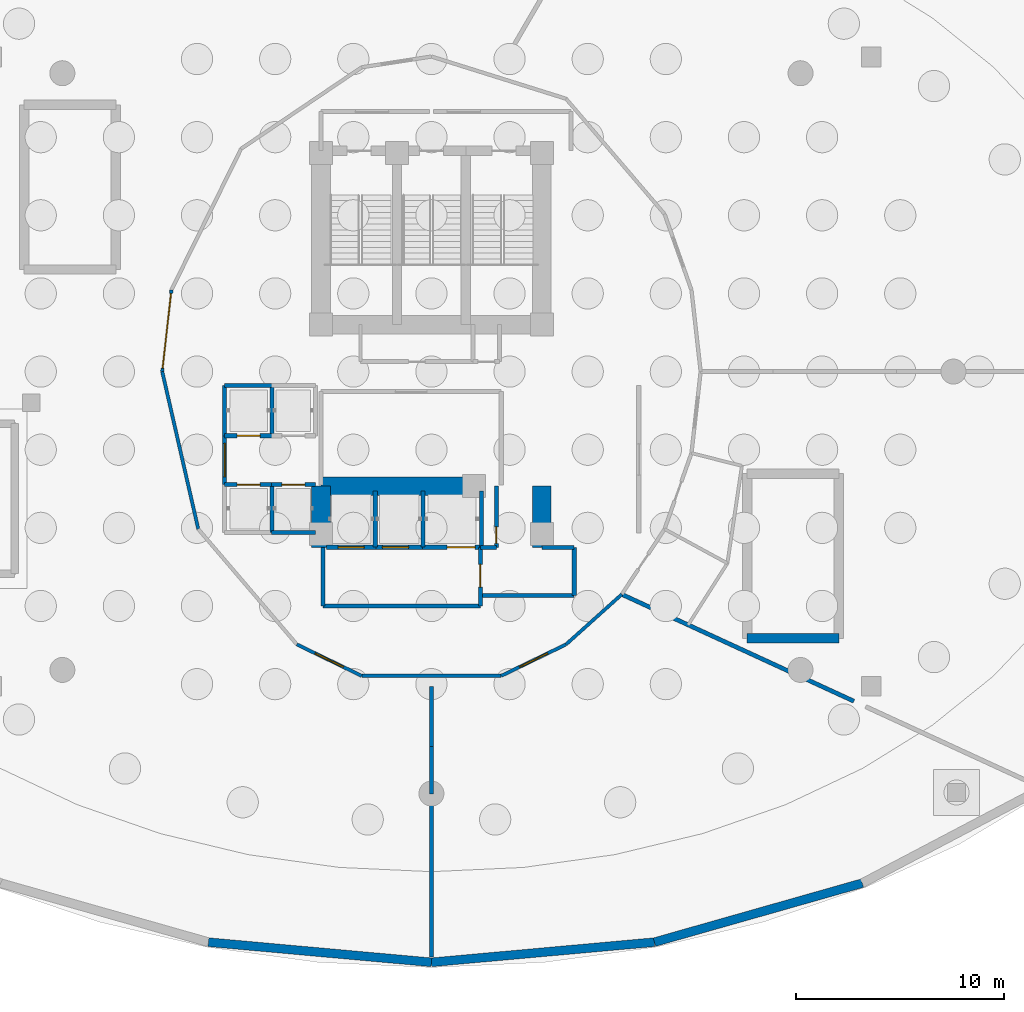
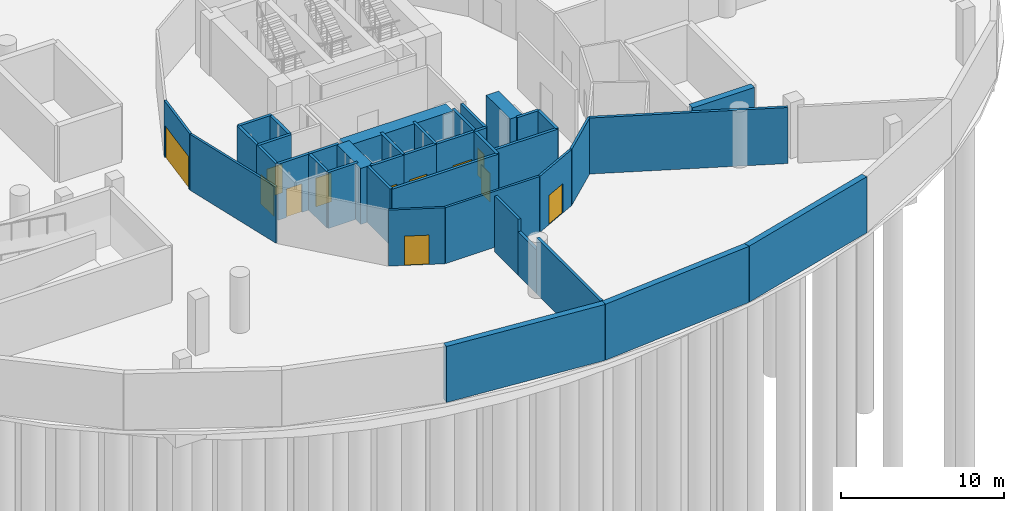
# One storey, part 3 of 9: 40 walls, 12 doors, 12 openings.
"""IFC4 building model written with IfcOpenShell, lengths in metres."""

from ifc_helpers import new_model, si_unit, direction, frame, frame_2d, origin, place, context, subcontext, project, spatial, rectangle, extrude, material, layer, layer_set, type_object, element, fill, save


model = new_model("IFC4")

# Units and contexts
model_context = context("Model", 3, precision=1e-05, world=origin(), true_north=direction((0.0, 1.0)))
body_context = subcontext(model_context, "Body", "Model", "MODEL_VIEW")
ifc_project = project(units=[si_unit("LENGTHUNIT", "METRE"), si_unit("AREAUNIT", "SQUARE_METRE"), si_unit("VOLUMEUNIT", "CUBIC_METRE"), si_unit("PLANEANGLEUNIT", "RADIAN"), si_unit("MASSUNIT", "GRAM", prefix="KILO")], contexts=[model_context])

# Site, building, storey
site_placement = place(None, origin())
site = spatial("IfcSite", under=ifc_project, at=site_placement, CompositionType="ELEMENT")
building_placement = place(site_placement, origin())
building = spatial("IfcBuilding", under=site, at=building_placement, Name="Nuhasar Tower", CompositionType="ELEMENT")
storey_placement = place(building_placement, frame((0.0, 0.0, -9.0)))
storey = spatial("IfcBuildingStorey", under=building, at=storey_placement, Name="B2", CompositionType="ELEMENT", Elevation=-9.0)

# Walls
ifc_material_1 = material(Name="Concrete C50/60", Category="concrete")
ifc_layer_1 = layer(ifc_material_1, 0.449951171875)
ifc_layer_set_1 = layer_set([ifc_layer_1], Name="Concrete C50/60")
wall_type_1 = type_object("IfcWallType", Name="WL-CORE-450", PredefinedType="SHEAR", material=ifc_layer_set_1)
wall_1_placement = place(storey_placement, frame((54.14990234375, 14.0, 0.0), z_axis=(0.0, 0.0, 1.0), x_axis=(1.0, 0.0, 0.0)))
element("IfcWall", 1, at=wall_1_placement, inside=storey, type_object=wall_type_1, Name="B2 Stairwell Shear Wall ST-05-S", PredefinedType="SHEAR", context=body_context, shape_type="SweptSolid", body=[
    extrude(rectangle(XDim=4.400146484375, YDim=0.449951171875, at=frame_2d((2.2001953125, 0.0))), origin(), (0.0, 0.0, 1.0), 4.199951171875),
])
ifc_material_2 = material(Name="Concrete C80/95", Category="concrete")
ifc_layer_2 = layer(ifc_material_2, 0.89990234375)
ifc_layer_set_2 = layer_set([ifc_layer_2], Name="Concrete C80/95")
wall_type_2 = type_object("IfcWallType", Name="WL-CORE-900", PredefinedType="SHEAR", material=ifc_layer_set_2)
for number, where, z_axis, x_axis, name in (
    (2, (33.699951171875, 18.35009765625, 0.0), (0.0, 0.0, 1.0), (0.0, 1.0, 0.0), "B2 Core Shear Wall CW-SW CW-900"),
    (3, (44.300048828125, 18.35009765625, 0.0), (0.0, 0.0, 1.0), (0.0, 1.0, 0.0), "B2 Core Shear Wall CW-SE CW-900"),
):
    element("IfcWall", number, at=place(storey_placement, frame(where, z_axis=z_axis, x_axis=x_axis)), inside=storey, type_object=wall_type_2, Name=name, PredefinedType="SHEAR", context=body_context, shape_type="SweptSolid", body=[
        extrude(rectangle(XDim=2.949951171875, YDim=0.89990234375, at=frame_2d((1.47509765625, 0.0))), origin(), (0.0, 0.0, 1.0), 4.199951171875),
    ])
wall_2_placement = place(storey_placement, frame((33.699951171875, 21.300048828125, 0.0), z_axis=(0.0, 0.0, 1.0), x_axis=(1.0, 0.0, 0.0)))
element("IfcWall", 4, at=wall_2_placement, inside=storey, type_object=wall_type_2, Name="B2 Core Shear Wall CW-S1 CW-900", PredefinedType="SHEAR", context=body_context, shape_type="SweptSolid", body=[
    extrude(rectangle(XDim=7.550048828125, YDim=0.89990234375, at=frame_2d((3.77490234375, 0.0))), origin(), (0.0, 0.0, 1.0), 4.199951171875),
])

# Wall, opening, door
ifc_material_3 = material(Name="Gypsum Board", Category="gypsum")
ifc_layer_3 = layer(ifc_material_3, 0.159912109375)
ifc_layer_set_3 = layer_set([ifc_layer_3], Name="Gypsum Board")
wall_type_3 = type_object("IfcWallType", Name="WL-CORR-160", PredefinedType="PARTITIONING", material=ifc_layer_set_3)
wall_3_placement = place(storey_placement, frame((26.52001953125, 30.712890625, 0.0), z_axis=(0.0, 0.0, 1.0), x_axis=(-0.111731247657, -0.993738460711, 0.0)))
wall_3 = element("IfcWall", 5, at=wall_3_placement, inside=storey, type_object=wall_type_3, Name="B2 Interior Partition CORR-22", PredefinedType="PARTITIONING", context=body_context, shape_type="SweptSolid", body=[
    extrude(rectangle(XDim=3.9375, YDim=0.159912109375, at=frame_2d((1.96875, 0.0))), origin(), (0.0, 0.0, 1.0), 4.199951171875),
])
opening_1_placement = place(wall_3_placement, frame((0.1689453125, 0.0, 0.0)))
opening_1 = element("IfcOpeningElement", 6, at=opening_1_placement, cuts=wall_3, Name="Opening DG-01", PredefinedType="OPENING", context=body_context, shape_type="SweptSolid", body=[
    extrude(rectangle(XDim=3.60009765625, YDim=2.39990234375, at=frame_2d((1.800048828125, 1.199951171875))), frame((0.0, 0.08984375, 0.0), z_axis=(0.0, -1.0, 0.0), x_axis=(1.0, 0.0, 0.0)), (0.0, 0.0, 1.0), 0.179931640625),
])
ifc_material_4 = material(Name="Steel S355", Category="steel")
door_type_1 = type_object("IfcDoorType", Name="DR-VEH-GATE-3600", OperationType="ROLLINGUP", PredefinedType="GATE", material=ifc_material_4)
door_1_placement = place(opening_1_placement, origin())
door_1 = element("IfcDoor", 7, at=door_1_placement, inside=storey, type_object=door_type_1, Name="B2 West Ramp Vestibule Shutter", OperationType="ROLLINGUP", OverallHeight=2.39990234375, OverallWidth=3.60009765625, PredefinedType="GATE", context=body_context, shape_type="SweptSolid", body=[
    extrude(rectangle(XDim=3.60009765625, YDim=2.39990234375, at=frame_2d((1.800048828125, 1.199951171875))), frame((0.0, 0.02490234375, 0.0), z_axis=(0.0, -1.0, 0.0), x_axis=(1.0, 0.0, 0.0)), (0.0, 0.0, 1.0), 0.050048828125),
])
fill(opening_1, door_1)

# Wall
wall_4_placement = place(storey_placement, frame((26.080078125, 26.800048828125, 0.0), z_axis=(0.0, 0.0, 1.0), x_axis=(0.223185487206, -0.974775993909, 0.0)))
element("IfcWall", 8, at=wall_4_placement, inside=storey, type_object=wall_type_3, Name="B2 Interior Partition CORR-24", PredefinedType="PARTITIONING", context=body_context, shape_type="SweptSolid", body=[
    extrude(rectangle(XDim=7.755615234375, YDim=0.159912109375, at=frame_2d((3.8779296875, 0.0))), origin(), (0.0, 0.0, 1.0), 4.199951171875),
])

# Wall, opening, door
wall_5_placement = place(storey_placement, frame((35.656005859375, 12.195068359375, 0.0), z_axis=(0.0, 0.0, 1.0), x_axis=(-0.899789784655, 0.436323668199, 0.0)))
wall_5 = element("IfcWall", 9, at=wall_5_placement, inside=storey, type_object=wall_type_3, Name="B2 Interior Partition CORR-32", PredefinedType="PARTITIONING", context=body_context, shape_type="SweptSolid", body=[
    extrude(rectangle(XDim=3.462890625, YDim=0.159912109375, at=frame_2d((1.7314453125, 0.0))), origin(), (0.0, 0.0, 1.0), 4.199951171875),
])
opening_2_placement = place(wall_5_placement, frame((0.98193359375, 0.0, 0.0)))
opening_2 = element("IfcOpeningElement", 10, at=opening_2_placement, cuts=wall_5, Name="Opening DP-01", PredefinedType="OPENING", context=body_context, shape_type="SweptSolid", body=[
    extrude(rectangle(XDim=1.5, YDim=2.199951171875, at=frame_2d((0.75, 1.10009765625))), frame((0.0, 0.08984375, 0.0), z_axis=(0.0, -1.0, 0.0), x_axis=(1.0, 0.0, 0.0)), (0.0, 0.0, 1.0), 0.179931640625),
])
door_type_2 = type_object("IfcDoorType", Name="DR-PLANT-FD120-1500", OperationType="DOUBLE_DOOR_SINGLE_SWING", PredefinedType="DOOR", material=ifc_material_4)
door_2_placement = place(opening_2_placement, origin())
door_2 = element("IfcDoor", 11, at=door_2_placement, inside=storey, type_object=door_type_2, Name="B2 South Substation & Tank Door", OperationType="DOUBLE_DOOR_SINGLE_SWING", OverallHeight=2.199951171875, OverallWidth=1.5, PredefinedType="DOOR", context=body_context, shape_type="SweptSolid", body=[
    extrude(rectangle(XDim=1.5, YDim=2.199951171875, at=frame_2d((0.75, 1.10009765625))), frame((0.0, 0.02490234375, 0.0), z_axis=(0.0, -1.0, 0.0), x_axis=(1.0, 0.0, 0.0)), (0.0, 0.0, 1.0), 0.050048828125),
])
fill(opening_2, door_2)

# Wall
wall_6_placement = place(storey_placement, frame((35.656005859375, 12.195068359375, 0.0), z_axis=(0.0, 0.0, 1.0), x_axis=(1.0, 0.0, 0.0)))
element("IfcWall", 12, at=wall_6_placement, inside=storey, type_object=wall_type_3, Name="B2 Interior Partition CORR-34", PredefinedType="PARTITIONING", context=body_context, shape_type="SweptSolid", body=[
    extrude(rectangle(XDim=6.68798828125, YDim=0.159912109375, at=frame_2d((3.343994140625, 0.0))), origin(), (0.0, 0.0, 1.0), 4.199951171875),
])

# Wall, opening, door
wall_7_placement = place(storey_placement, frame((45.4599609375, 13.7060546875, 0.0), z_axis=(0.0, 0.0, 1.0), x_axis=(-0.899789784655, -0.436323668199, 0.0)))
wall_7 = element("IfcWall", 13, at=wall_7_placement, inside=storey, type_object=wall_type_3, Name="B2 Interior Partition CORR-38", PredefinedType="PARTITIONING", context=body_context, shape_type="SweptSolid", body=[
    extrude(rectangle(XDim=3.462890625, YDim=0.159912109375, at=frame_2d((1.7314453125, 0.0))), origin(), (0.0, 0.0, 1.0), 4.199951171875),
])
opening_3_placement = place(wall_7_placement, frame((0.98193359375, 0.0, 0.0)))
opening_3 = element("IfcOpeningElement", 14, at=opening_3_placement, cuts=wall_7, Name="Opening DP-01", PredefinedType="OPENING", context=body_context, shape_type="SweptSolid", body=[
    extrude(rectangle(XDim=1.5, YDim=2.199951171875, at=frame_2d((0.75, 1.10009765625))), frame((0.0, 0.08984375, 0.0), z_axis=(0.0, -1.0, 0.0), x_axis=(1.0, 0.0, 0.0)), (0.0, 0.0, 1.0), 0.179931640625),
])
door_3_placement = place(opening_3_placement, origin())
door_3 = element("IfcDoor", 15, at=door_3_placement, inside=storey, type_object=door_type_2, Name="B2 South-East Plant Hall Door", OperationType="DOUBLE_DOOR_SINGLE_SWING", OverallHeight=2.199951171875, OverallWidth=1.5, PredefinedType="DOOR", context=body_context, shape_type="SweptSolid", body=[
    extrude(rectangle(XDim=1.5, YDim=2.199951171875, at=frame_2d((0.75, 1.10009765625))), frame((0.0, 0.02490234375, 0.0), z_axis=(0.0, -1.0, 0.0), x_axis=(1.0, 0.0, 0.0)), (0.0, 0.0, 1.0), 0.050048828125),
])
fill(opening_3, door_3)

# Walls
wall_8_placement = place(storey_placement, frame((45.4599609375, 13.7060546875, 0.0), z_axis=(0.0, 0.0, 1.0), x_axis=(0.744066617248, 0.668105432621, 0.0)))
element("IfcWall", 16, at=wall_8_placement, inside=storey, type_object=wall_type_3, Name="B2 Interior Partition CORR-40", PredefinedType="PARTITIONING", context=body_context, shape_type="SweptSolid", body=[
    extrude(rectangle(XDim=3.596435546875, YDim=0.159912109375, at=frame_2d((1.79833984375, 0.0))), origin(), (0.0, 0.0, 1.0), 4.199951171875),
])
ifc_layer_4 = layer(ifc_material_1, 0.419921875)
ifc_layer_set_4 = layer_set([ifc_layer_4], Name="Concrete C50/60")
wall_type_4 = type_object("IfcWallType", Name="WL-DIAPH-420", PredefinedType="SHEAR", material=ifc_layer_set_4)
for number, where, z_axis, x_axis, name in (
    (17, (28.298095703125, -0.583984375, 0.0), (0.0, 0.0, 1.0), (0.995950366385, -0.089904770156, 0.0), "B2 Perimeter Diaphragm Retaining Wall 18 DW-420"),
    (18, (39.0, -1.550048828125, 0.0), (0.0, 0.0, 1.0), (0.995950366385, 0.089904770156, 0.0), "B2 Perimeter Diaphragm Retaining Wall 19 DW-420"),
):
    element("IfcWall", number, at=place(storey_placement, frame(where, z_axis=z_axis, x_axis=x_axis)), inside=storey, type_object=wall_type_4, Name=name, PredefinedType="SHEAR", context=body_context, shape_type="SweptSolid", body=[
        extrude(rectangle(XDim=10.745361328125, YDim=0.419921875, at=frame_2d((5.37255859375, 0.0))), origin(), (0.0, 0.0, 1.0), 4.199951171875),
    ])
wall_9_placement = place(storey_placement, frame((49.701904296875, -0.583984375, 0.0), z_axis=(0.0, 0.0, 1.0), x_axis=(0.961967006375, 0.273165661541, 0.0)))
element("IfcWall", 19, at=wall_9_placement, inside=storey, type_object=wall_type_4, Name="B2 Perimeter Diaphragm Retaining Wall 20 DW-420", PredefinedType="SHEAR", context=body_context, shape_type="SweptSolid", body=[
    extrude(rectangle(XDim=10.367431640625, YDim=0.419921875, at=frame_2d((5.18359375, 0.0))), origin(), (0.0, 0.0, 1.0), 4.199951171875),
])

# Wall, opening, door
ifc_material_5 = material(Name="Concrete C45/55", Category="concrete")
ifc_layer_5 = layer(ifc_material_5, 0.199951171875)
ifc_layer_set_5 = layer_set([ifc_layer_5], Name="Concrete C45/55")
wall_type_5 = type_object("IfcWallType", Name="WL-LOBBY-200", PredefinedType="SOLIDWALL", material=ifc_layer_set_5)
wall_10_placement = place(storey_placement, frame((29.070068359375, 21.3798828125, 0.0), z_axis=(0.0, 0.0, 1.0), x_axis=(0.0, 1.0, 0.0)))
wall_10 = element("IfcWall", 20, at=wall_10_placement, inside=storey, type_object=wall_type_5, Name="B2 Interior Partition LLBL-W", PredefinedType="SOLIDWALL", context=body_context, shape_type="SweptSolid", body=[
    extrude(rectangle(XDim=2.340087890625, YDim=0.199951171875, at=frame_2d((1.169921875, 0.0))), origin(), (0.0, 0.0, 1.0), 4.199951171875),
])
opening_4_placement = place(wall_10_placement, frame((0.3701171875, 0.0, 0.0)))
opening_4 = element("IfcOpeningElement", 21, at=opening_4_placement, cuts=wall_10, Name="Opening DC-01", PredefinedType="OPENING", context=body_context, shape_type="SweptSolid", body=[
    extrude(rectangle(XDim=1.60009765625, YDim=2.199951171875, at=frame_2d((0.800048828125, 1.10009765625))), frame((0.0, 0.10986328125, 0.0), z_axis=(0.0, -1.0, 0.0), x_axis=(1.0, 0.0, 0.0)), (0.0, 0.0, 1.0), 0.219970703125),
])
door_type_3 = type_object("IfcDoorType", Name="DR-CORR-FD60-1600", OperationType="DOUBLE_DOOR_SINGLE_SWING", PredefinedType="DOOR", material=ifc_material_4)
door_4_placement = place(opening_4_placement, origin())
door_4 = element("IfcDoor", 22, at=door_4_placement, inside=storey, type_object=door_type_3, Name="B2 Low-Rise Lift Lobby West Entry", OperationType="DOUBLE_DOOR_SINGLE_SWING", OverallHeight=2.199951171875, OverallWidth=1.60009765625, PredefinedType="DOOR", context=body_context, shape_type="SweptSolid", body=[
    extrude(rectangle(XDim=1.60009765625, YDim=2.199951171875, at=frame_2d((0.800048828125, 1.10009765625))), frame((0.0, 0.02490234375, 0.0), z_axis=(0.0, -1.0, 0.0), x_axis=(1.0, 0.0, 0.0)), (0.0, 0.0, 1.0), 0.050048828125),
])
fill(opening_4, door_4)

# Walls
wall_11_placement = place(storey_placement, frame((33.800048828125, 15.550048828125, 0.0), z_axis=(0.0, 0.0, 1.0), x_axis=(1.0, 0.0, 0.0)))
element("IfcWall", 23, at=wall_11_placement, inside=storey, type_object=wall_type_5, Name="B2 Interior Partition FFL-S", PredefinedType="SOLIDWALL", context=body_context, shape_type="SweptSolid", body=[
    extrude(rectangle(XDim=7.550048828125, YDim=0.199951171875, at=frame_2d((3.77490234375, 0.0))), origin(), (0.0, 0.0, 1.0), 4.199951171875),
])
wall_12_placement = place(storey_placement, frame((33.800048828125, 15.550048828125, 0.0), z_axis=(0.0, 0.0, 1.0), x_axis=(0.0, 1.0, 0.0)))
element("IfcWall", 24, at=wall_12_placement, inside=storey, type_object=wall_type_5, Name="B2 Interior Partition FFL-W", PredefinedType="SOLIDWALL", context=body_context, shape_type="SweptSolid", body=[
    extrude(rectangle(XDim=2.800048828125, YDim=0.199951171875, at=frame_2d((1.39990234375, 0.0))), origin(), (0.0, 0.0, 1.0), 4.199951171875),
])

# Wall, opening, door
wall_13_placement = place(storey_placement, frame((41.35009765625, 15.550048828125, 0.0), z_axis=(0.0, 0.0, 1.0), x_axis=(0.0, 1.0, 0.0)))
wall_13 = element("IfcWall", 25, at=wall_13_placement, inside=storey, type_object=wall_type_5, Name="B2 Interior Partition FFL-E", PredefinedType="SOLIDWALL", context=body_context, shape_type="SweptSolid", body=[
    extrude(rectangle(XDim=2.800048828125, YDim=0.199951171875, at=frame_2d((1.39990234375, 0.0))), origin(), (0.0, 0.0, 1.0), 4.199951171875),
])
opening_5_placement = place(wall_13_placement, frame((0.89990234375, 0.0, 0.0)))
opening_5 = element("IfcOpeningElement", 26, at=opening_5_placement, cuts=wall_13, Name="Opening DS-02", PredefinedType="OPENING", context=body_context, shape_type="SweptSolid", body=[
    extrude(rectangle(XDim=1.10009765625, YDim=2.14990234375, at=frame_2d((0.550048828125, 1.074951171875))), frame((0.0, 0.10986328125, 0.0), z_axis=(0.0, -1.0, 0.0), x_axis=(1.0, 0.0, 0.0)), (0.0, 0.0, 1.0), 0.219970703125),
])
door_type_4 = type_object("IfcDoorType", Name="DR-FFL-FD120-1100", OperationType="NOTDEFINED", PredefinedType="DOOR", material=ifc_material_4)
door_5_placement = place(opening_5_placement, origin())
door_5 = element("IfcDoor", 27, at=door_5_placement, inside=storey, type_object=door_type_4, Name="B2 Firefighting Lobby Door", OperationType="SINGLE_SWING_RIGHT", OverallHeight=2.14990234375, OverallWidth=1.10009765625, PredefinedType="DOOR", context=body_context, shape_type="SweptSolid", body=[
    extrude(rectangle(XDim=1.10009765625, YDim=2.14990234375, at=frame_2d((0.550048828125, 1.074951171875))), frame((0.0, 0.02490234375, 0.0), z_axis=(0.0, -1.0, 0.0), x_axis=(1.0, 0.0, 0.0)), (0.0, 0.0, 1.0), 0.050048828125),
])
fill(opening_5, door_5)

# Walls
wall_14_placement = place(storey_placement, frame((41.35009765625, 16.050048828125, 0.0), z_axis=(0.0, 0.0, 1.0), x_axis=(1.0, 0.0, 0.0)))
element("IfcWall", 28, at=wall_14_placement, inside=storey, type_object=wall_type_5, Name="B2 Interior Partition SVLV-S", PredefinedType="SOLIDWALL", context=body_context, shape_type="SweptSolid", body=[
    extrude(rectangle(XDim=4.5, YDim=0.199951171875, at=frame_2d((2.25, 0.0))), origin(), (0.0, 0.0, 1.0), 4.199951171875),
])
wall_15_placement = place(storey_placement, frame((45.85009765625, 16.050048828125, 0.0), z_axis=(0.0, 0.0, 1.0), x_axis=(0.0, 1.0, 0.0)))
element("IfcWall", 29, at=wall_15_placement, inside=storey, type_object=wall_type_5, Name="B2 Interior Partition SVLV-E", PredefinedType="SOLIDWALL", context=body_context, shape_type="SweptSolid", body=[
    extrude(rectangle(XDim=2.300048828125, YDim=0.199951171875, at=frame_2d((1.14990234375, 0.0))), origin(), (0.0, 0.0, 1.0), 4.199951171875),
])
wall_16_placement = place(storey_placement, frame((44.300048828125, 18.35009765625, 0.0), z_axis=(0.0, 0.0, 1.0), x_axis=(1.0, 0.0, 0.0)))
element("IfcWall", 30, at=wall_16_placement, inside=storey, type_object=wall_type_5, Name="B2 Interior Partition SVLV-N", PredefinedType="SOLIDWALL", context=body_context, shape_type="SweptSolid", body=[
    extrude(rectangle(XDim=1.550048828125, YDim=0.199951171875, at=frame_2d((0.77490234375, 0.0))), origin(), (0.0, 0.0, 1.0), 4.199951171875),
])
wall_17_placement = place(storey_placement, frame((39.0, 11.679931640625, 0.0), z_axis=(0.0, 0.0, 1.0), x_axis=(0.0, -1.0, 0.0)))
element("IfcWall", 31, at=wall_17_placement, inside=storey, type_object=wall_type_5, Name="B2 Interior Partition BRAD-36", PredefinedType="SOLIDWALL", context=body_context, shape_type="SweptSolid", body=[
    extrude(rectangle(XDim=2.885009765625, YDim=0.199951171875, at=frame_2d((1.4423828125, 0.0))), origin(), (0.0, 0.0, 1.0), 4.199951171875),
])
wall_18_placement = place(storey_placement, frame((39.0, 8.794921875, 0.0), z_axis=(0.0, 0.0, 1.0), x_axis=(0.0, -1.0, 0.0)))
element("IfcWall", 32, at=wall_18_placement, inside=storey, type_object=wall_type_5, Name="B2 Interior Partition BRAD-36", PredefinedType="SOLIDWALL", context=body_context, shape_type="SweptSolid", body=[
    extrude(rectangle(XDim=2.259033203125, YDim=0.199951171875, at=frame_2d((1.12939453125, 0.0))), origin(), (0.0, 0.0, 1.0), 3.264892578125),
])
wall_19_placement = place(storey_placement, frame((39.0, 6.535888671875, 0.0), z_axis=(0.0, 0.0, 1.0), x_axis=(0.0, -1.0, 0.0)))
element("IfcWall", 33, at=wall_19_placement, inside=storey, type_object=wall_type_5, Name="B2 Interior Partition BRAD-36", PredefinedType="SOLIDWALL", context=body_context, shape_type="SweptSolid", body=[
    extrude(rectangle(XDim=7.82080078125, YDim=0.199951171875, at=frame_2d((3.910400390625, 0.0))), origin(), (0.0, 0.0, 1.0), 4.199951171875),
])
wall_20_placement = place(storey_placement, frame((48.135986328125, 16.10888671875, 0.0), z_axis=(0.0, 0.0, 1.0), x_axis=(0.908368089602, -0.418171512411, 0.0)))
element("IfcWall", 34, at=wall_20_placement, inside=storey, type_object=wall_type_5, Name="B2 Interior Partition BRAD-42-S1", PredefinedType="SOLIDWALL", context=body_context, shape_type="SweptSolid", body=[
    extrude(rectangle(XDim=12.260498046875, YDim=0.199951171875, at=frame_2d((6.13037109375, 0.0))), origin(), (0.0, 0.0, 1.0), 4.199951171875),
])

# Wall, opening, door
ifc_layer_6 = layer(ifc_material_5, 0.199951171875)
ifc_layer_set_6 = layer_set([ifc_layer_6], Name="Concrete C45/55")
wall_type_6 = type_object("IfcWallType", Name="WL-SHAFT-200", PredefinedType="SOLIDWALL", material=ifc_layer_set_6)
wall_21_placement = place(storey_placement, frame((29.070068359375, 23.719970703125, 0.0), z_axis=(0.0, 0.0, 1.0), x_axis=(1.0, 0.0, 0.0)))
wall_21 = element("IfcWall", 35, at=wall_21_placement, inside=storey, type_object=wall_type_6, Name="B2 Interior Partition SHF-PL-L01-S", PredefinedType="SOLIDWALL", context=body_context, shape_type="SweptSolid", body=[
    extrude(rectangle(XDim=2.309814453125, YDim=0.199951171875, at=frame_2d((1.15478515625, 0.0))), origin(), (0.0, 0.0, 1.0), 4.199951171875),
])
opening_6_placement = place(wall_21_placement, frame((0.60498046875, 0.0, 0.0)))
opening_6 = element("IfcOpeningElement", 36, at=opening_6_placement, cuts=wall_21, Name="Opening LD-L01", PredefinedType="OPENING", context=body_context, shape_type="SweptSolid", body=[
    extrude(rectangle(XDim=1.10009765625, YDim=2.14990234375, at=frame_2d((0.550048828125, 1.074951171875))), frame((0.0, 0.10986328125, 0.0), z_axis=(0.0, -1.0, 0.0), x_axis=(1.0, 0.0, 0.0)), (0.0, 0.0, 1.0), 0.219970703125),
])
ifc_material_6 = material(Name="Stainless Steel 316L", Category="steel")
door_type_5 = type_object("IfcDoorType", Name="LD-PAX-1100", OperationType="DOUBLE_DOOR_SLIDING", PredefinedType="DOOR", material=ifc_material_6)
door_6_placement = place(opening_6_placement, origin())
door_6 = element("IfcDoor", 37, at=door_6_placement, inside=storey, type_object=door_type_5, Name="B2 Lift Landing Door PL-L01", OperationType="DOUBLE_DOOR_SLIDING", OverallHeight=2.14990234375, OverallWidth=1.10009765625, PredefinedType="DOOR", context=body_context, shape_type="SweptSolid", body=[
    extrude(rectangle(XDim=1.10009765625, YDim=2.14990234375, at=frame_2d((0.550048828125, 1.074951171875))), frame((0.0, 0.02490234375, 0.0), z_axis=(0.0, -1.0, 0.0), x_axis=(1.0, 0.0, 0.0)), (0.0, 0.0, 1.0), 0.050048828125),
])
fill(opening_6, door_6)

# Walls
wall_22_placement = place(storey_placement, frame((29.070068359375, 26.1298828125, 0.0), z_axis=(0.0, 0.0, 1.0), x_axis=(1.0, 0.0, 0.0)))
element("IfcWall", 38, at=wall_22_placement, inside=storey, type_object=wall_type_6, Name="B2 Interior Partition SHF-PL-L01-N", PredefinedType="SOLIDWALL", context=body_context, shape_type="SweptSolid", body=[
    extrude(rectangle(XDim=2.309814453125, YDim=0.199951171875, at=frame_2d((1.15478515625, 0.0))), origin(), (0.0, 0.0, 1.0), 4.199951171875),
])
for number, where, z_axis, x_axis, name in (
    (39, (29.070068359375, 23.719970703125, 0.0), (0.0, 0.0, 1.0), (0.0, 1.0, 0.0), "B2 Interior Partition SHF-PL-L01-W"),
    (40, (31.35009765625, 23.719970703125, 0.0), (0.0, 0.0, 1.0), (0.0, 1.0, 0.0), "B2 Interior Partition SHF-PL-L01-E"),
):
    element("IfcWall", number, at=place(storey_placement, frame(where, z_axis=z_axis, x_axis=x_axis)), inside=storey, type_object=wall_type_6, Name=name, PredefinedType="SOLIDWALL", context=body_context, shape_type="SweptSolid", body=[
        extrude(rectangle(XDim=2.409912109375, YDim=0.199951171875, at=frame_2d((1.205078125, 0.0))), origin(), (0.0, 0.0, 1.0), 4.199951171875),
    ])

# Wall, opening, door
wall_23_placement = place(storey_placement, frame((29.070068359375, 21.3798828125, 0.0), z_axis=(0.0, 0.0, 1.0), x_axis=(1.0, 0.0, 0.0)))
wall_23 = element("IfcWall", 41, at=wall_23_placement, inside=storey, type_object=wall_type_6, Name="B2 Interior Partition SHF-PL-L03-N", PredefinedType="SOLIDWALL", context=body_context, shape_type="SweptSolid", body=[
    extrude(rectangle(XDim=2.309814453125, YDim=0.199951171875, at=frame_2d((1.15478515625, 0.0))), origin(), (0.0, 0.0, 1.0), 4.199951171875),
])
opening_7_placement = place(wall_23_placement, frame((0.60498046875, 0.0, 0.0)))
opening_7 = element("IfcOpeningElement", 42, at=opening_7_placement, cuts=wall_23, Name="Opening LD-L03", PredefinedType="OPENING", context=body_context, shape_type="SweptSolid", body=[
    extrude(rectangle(XDim=1.10009765625, YDim=2.14990234375, at=frame_2d((0.550048828125, 1.074951171875))), frame((0.0, 0.10986328125, 0.0), z_axis=(0.0, -1.0, 0.0), x_axis=(1.0, 0.0, 0.0)), (0.0, 0.0, 1.0), 0.219970703125),
])
door_7_placement = place(opening_7_placement, origin())
door_7 = element("IfcDoor", 43, at=door_7_placement, inside=storey, type_object=door_type_5, Name="B2 Lift Landing Door PL-L03", OperationType="DOUBLE_DOOR_SLIDING", OverallHeight=2.14990234375, OverallWidth=1.10009765625, PredefinedType="DOOR", context=body_context, shape_type="SweptSolid", body=[
    extrude(rectangle(XDim=1.10009765625, YDim=2.14990234375, at=frame_2d((0.550048828125, 1.074951171875))), frame((0.0, 0.02490234375, 0.0), z_axis=(0.0, -1.0, 0.0), x_axis=(1.0, 0.0, 0.0)), (0.0, 0.0, 1.0), 0.050048828125),
])
fill(opening_7, door_7)

# Walls
wall_24_placement = place(storey_placement, frame((31.35009765625, 19.070068359375, 0.0), z_axis=(0.0, 0.0, 1.0), x_axis=(0.0, 1.0, 0.0)))
element("IfcWall", 44, at=wall_24_placement, inside=storey, type_object=wall_type_6, Name="B2 Interior Partition SHF-PL-L03-E", PredefinedType="SOLIDWALL", context=body_context, shape_type="SweptSolid", body=[
    extrude(rectangle(XDim=2.309814453125, YDim=0.199951171875, at=frame_2d((1.15478515625, 0.0))), origin(), (0.0, 0.0, 1.0), 4.199951171875),
])
wall_25_placement = place(storey_placement, frame((31.320068359375, 19.070068359375, 0.0), z_axis=(0.0, 0.0, 1.0), x_axis=(1.0, 0.0, 0.0)))
element("IfcWall", 45, at=wall_25_placement, inside=storey, type_object=wall_type_6, Name="B2 Interior Partition SHF-PL-L04-S", PredefinedType="SOLIDWALL", context=body_context, shape_type="SweptSolid", body=[
    extrude(rectangle(XDim=2.10986328125, YDim=0.199951171875, at=frame_2d((1.054931640625, 0.0))), origin(), (0.0, 0.0, 1.0), 4.199951171875),
])

# Wall, opening, door
wall_26_placement = place(storey_placement, frame((31.320068359375, 21.3798828125, 0.0), z_axis=(0.0, 0.0, 1.0), x_axis=(1.0, 0.0, 0.0)))
wall_26 = element("IfcWall", 46, at=wall_26_placement, inside=storey, type_object=wall_type_6, Name="B2 Interior Partition SHF-PL-L04-N", PredefinedType="SOLIDWALL", context=body_context, shape_type="SweptSolid", body=[
    extrude(rectangle(XDim=2.10986328125, YDim=0.199951171875, at=frame_2d((1.054931640625, 0.0))), origin(), (0.0, 0.0, 1.0), 4.199951171875),
])
opening_8_placement = place(wall_26_placement, frame((0.5048828125, 0.0, 0.0)))
opening_8 = element("IfcOpeningElement", 47, at=opening_8_placement, cuts=wall_26, Name="Opening LD-L04", PredefinedType="OPENING", context=body_context, shape_type="SweptSolid", body=[
    extrude(rectangle(XDim=1.10009765625, YDim=2.14990234375, at=frame_2d((0.550048828125, 1.074951171875))), frame((0.0, 0.10986328125, 0.0), z_axis=(0.0, -1.0, 0.0), x_axis=(1.0, 0.0, 0.0)), (0.0, 0.0, 1.0), 0.219970703125),
])
door_8_placement = place(opening_8_placement, origin())
door_8 = element("IfcDoor", 48, at=door_8_placement, inside=storey, type_object=door_type_5, Name="B2 Lift Landing Door PL-L04", OperationType="DOUBLE_DOOR_SLIDING", OverallHeight=2.14990234375, OverallWidth=1.10009765625, PredefinedType="DOOR", context=body_context, shape_type="SweptSolid", body=[
    extrude(rectangle(XDim=1.10009765625, YDim=2.14990234375, at=frame_2d((0.550048828125, 1.074951171875))), frame((0.0, 0.02490234375, 0.0), z_axis=(0.0, -1.0, 0.0), x_axis=(1.0, 0.0, 0.0)), (0.0, 0.0, 1.0), 0.050048828125),
])
fill(opening_8, door_8)

wall_27_placement = place(storey_placement, frame((33.969970703125, 18.3701171875, 0.0), z_axis=(0.0, 0.0, 1.0), x_axis=(1.0, 0.0, 0.0)))
wall_27 = element("IfcWall", 49, at=wall_27_placement, inside=storey, type_object=wall_type_6, Name="B2 Interior Partition SHF-FFL-01-S", PredefinedType="SOLIDWALL", context=body_context, shape_type="SweptSolid", body=[
    extrude(rectangle(XDim=2.360107421875, YDim=0.199951171875, at=frame_2d((1.18017578125, 0.0))), origin(), (0.0, 0.0, 1.0), 4.199951171875),
])
opening_9_placement = place(wall_27_placement, frame((0.554931640625, 0.0, 0.0)))
opening_9 = element("IfcOpeningElement", 50, at=opening_9_placement, cuts=wall_27, Name="Opening LD-F01", PredefinedType="OPENING", context=body_context, shape_type="SweptSolid", body=[
    extrude(rectangle(XDim=1.25, YDim=2.199951171875, at=frame_2d((0.625, 1.10009765625))), frame((0.0, 0.10986328125, 0.0), z_axis=(0.0, -1.0, 0.0), x_axis=(1.0, 0.0, 0.0)), (0.0, 0.0, 1.0), 0.219970703125),
])
door_type_6 = type_object("IfcDoorType", Name="LD-FFL-1250", OperationType="DOUBLE_DOOR_SLIDING", PredefinedType="DOOR", material=ifc_material_6)
door_9_placement = place(opening_9_placement, origin())
door_9 = element("IfcDoor", 51, at=door_9_placement, inside=storey, type_object=door_type_6, Name="B2 Lift Landing Door FFL-01", OperationType="DOUBLE_DOOR_SLIDING", OverallHeight=2.199951171875, OverallWidth=1.25, PredefinedType="DOOR", context=body_context, shape_type="SweptSolid", body=[
    extrude(rectangle(XDim=1.25, YDim=2.199951171875, at=frame_2d((0.625, 1.10009765625))), frame((0.0, 0.02490234375, 0.0), z_axis=(0.0, -1.0, 0.0), x_axis=(1.0, 0.0, 0.0)), (0.0, 0.0, 1.0), 0.050048828125),
])
fill(opening_9, door_9)

# Wall
wall_28_placement = place(storey_placement, frame((36.300048828125, 18.3701171875, 0.0), z_axis=(0.0, 0.0, 1.0), x_axis=(0.0, 1.0, 0.0)))
element("IfcWall", 52, at=wall_28_placement, inside=storey, type_object=wall_type_6, Name="B2 Interior Partition SHF-FFL-01-E", PredefinedType="SOLIDWALL", context=body_context, shape_type="SweptSolid", body=[
    extrude(rectangle(XDim=2.7099609375, YDim=0.199951171875, at=frame_2d((1.35498046875, 0.0))), origin(), (0.0, 0.0, 1.0), 4.199951171875),
])

# Wall, opening, door
wall_29_placement = place(storey_placement, frame((36.27001953125, 18.3701171875, 0.0), z_axis=(0.0, 0.0, 1.0), x_axis=(1.0, 0.0, 0.0)))
wall_29 = element("IfcWall", 53, at=wall_29_placement, inside=storey, type_object=wall_type_6, Name="B2 Interior Partition SHF-FFL-02-S", PredefinedType="SOLIDWALL", context=body_context, shape_type="SweptSolid", body=[
    extrude(rectangle(XDim=2.35986328125, YDim=0.199951171875, at=frame_2d((1.179931640625, 0.0))), origin(), (0.0, 0.0, 1.0), 4.199951171875),
])
opening_10_placement = place(wall_29_placement, frame((0.3798828125, 0.0, 0.0)))
opening_10 = element("IfcOpeningElement", 54, at=opening_10_placement, cuts=wall_29, Name="Opening LD-F02", PredefinedType="OPENING", context=body_context, shape_type="SweptSolid", body=[
    extrude(rectangle(XDim=1.25, YDim=2.199951171875, at=frame_2d((0.625, 1.10009765625))), frame((0.0, 0.10986328125, 0.0), z_axis=(0.0, -1.0, 0.0), x_axis=(1.0, 0.0, 0.0)), (0.0, 0.0, 1.0), 0.219970703125),
])
door_10_placement = place(opening_10_placement, origin())
door_10 = element("IfcDoor", 55, at=door_10_placement, inside=storey, type_object=door_type_6, Name="B2 Lift Landing Door FFL-02", OperationType="DOUBLE_DOOR_SLIDING", OverallHeight=2.199951171875, OverallWidth=1.25, PredefinedType="DOOR", context=body_context, shape_type="SweptSolid", body=[
    extrude(rectangle(XDim=1.25, YDim=2.199951171875, at=frame_2d((0.625, 1.10009765625))), frame((0.0, 0.02490234375, 0.0), z_axis=(0.0, -1.0, 0.0), x_axis=(1.0, 0.0, 0.0)), (0.0, 0.0, 1.0), 0.050048828125),
])
fill(opening_10, door_10)

# Wall
wall_30_placement = place(storey_placement, frame((38.60009765625, 18.3701171875, 0.0), z_axis=(0.0, 0.0, 1.0), x_axis=(0.0, 1.0, 0.0)))
element("IfcWall", 56, at=wall_30_placement, inside=storey, type_object=wall_type_6, Name="B2 Interior Partition SHF-FFL-02-E", PredefinedType="SOLIDWALL", context=body_context, shape_type="SweptSolid", body=[
    extrude(rectangle(XDim=2.7099609375, YDim=0.199951171875, at=frame_2d((1.35498046875, 0.0))), origin(), (0.0, 0.0, 1.0), 4.199951171875),
])

# Wall, opening, door
wall_31_placement = place(storey_placement, frame((38.570068359375, 18.3701171875, 0.0), z_axis=(0.0, 0.0, 1.0), x_axis=(1.0, 0.0, 0.0)))
wall_31 = element("IfcWall", 57, at=wall_31_placement, inside=storey, type_object=wall_type_6, Name="B2 Interior Partition SHF-SVL-01-S", PredefinedType="SOLIDWALL", context=body_context, shape_type="SweptSolid", body=[
    extrude(rectangle(XDim=2.829833984375, YDim=0.199951171875, at=frame_2d((1.4150390625, 0.0))), origin(), (0.0, 0.0, 1.0), 4.199951171875),
])
opening_11_placement = place(wall_31_placement, frame((1.179931640625, 0.0, 0.0)))
opening_11 = element("IfcOpeningElement", 58, at=opening_11_placement, cuts=wall_31, Name="Opening LD-S01", PredefinedType="OPENING", context=body_context, shape_type="SweptSolid", body=[
    extrude(rectangle(XDim=1.35009765625, YDim=2.179931640625, at=frame_2d((0.675048828125, 1.08984375))), frame((0.0, 0.10986328125, 0.0), z_axis=(0.0, -1.0, 0.0), x_axis=(1.0, 0.0, 0.0)), (0.0, 0.0, 1.0), 0.219970703125),
])
door_type_7 = type_object("IfcDoorType", Name="LD-SVL-1350", OperationType="DOUBLE_DOOR_SLIDING", PredefinedType="DOOR", material=ifc_material_6)
door_11_placement = place(opening_11_placement, origin())
door_11 = element("IfcDoor", 59, at=door_11_placement, inside=storey, type_object=door_type_7, Name="B2 Lift Landing Door SVL-01", OperationType="DOUBLE_DOOR_SLIDING", OverallHeight=2.179931640625, OverallWidth=1.35009765625, PredefinedType="DOOR", context=body_context, shape_type="SweptSolid", body=[
    extrude(rectangle(XDim=1.35009765625, YDim=2.179931640625, at=frame_2d((0.675048828125, 1.08984375))), frame((0.0, 0.02490234375, 0.0), z_axis=(0.0, -1.0, 0.0), x_axis=(1.0, 0.0, 0.0)), (0.0, 0.0, 1.0), 0.050048828125),
])
fill(opening_11, door_11)

# Wall
wall_32_placement = place(storey_placement, frame((41.39990234375, 18.3701171875, 0.0), z_axis=(0.0, 0.0, 1.0), x_axis=(0.0, 1.0, 0.0)))
element("IfcWall", 60, at=wall_32_placement, inside=storey, type_object=wall_type_6, Name="B2 Interior Partition SHF-SVL-01-E", PredefinedType="SOLIDWALL", context=body_context, shape_type="SweptSolid", body=[
    extrude(rectangle(XDim=2.7099609375, YDim=0.199951171875, at=frame_2d((1.35498046875, 0.0))), origin(), (0.0, 0.0, 1.0), 4.199951171875),
])

# Wall, opening, door
wall_33_placement = place(storey_placement, frame((42.1201171875, 18.35009765625, 0.0), z_axis=(0.0, 0.0, 1.0), x_axis=(0.0, 1.0, 0.0)))
wall_33 = element("IfcWall", 61, at=wall_33_placement, inside=storey, type_object=wall_type_6, Name="B2 Interior Partition RSR-E", PredefinedType="SOLIDWALL", context=body_context, shape_type="SweptSolid", body=[
    extrude(rectangle(XDim=2.949951171875, YDim=0.199951171875, at=frame_2d((1.47509765625, 0.0))), origin(), (0.0, 0.0, 1.0), 4.199951171875),
])
opening_12_placement = place(wall_33_placement, frame((0.199951171875, 0.0, 0.0)))
opening_12 = element("IfcOpeningElement", 62, at=opening_12_placement, cuts=wall_33, Name="Opening DM-01", PredefinedType="OPENING", context=body_context, shape_type="SweptSolid", body=[
    extrude(rectangle(XDim=0.800048828125, YDim=2.050048828125, at=frame_2d((0.39990234375, 1.02490234375))), frame((0.0, 0.10986328125, 0.0), z_axis=(0.0, -1.0, 0.0), x_axis=(1.0, 0.0, 0.0)), (0.0, 0.0, 1.0), 0.219970703125),
])
door_type_8 = type_object("IfcDoorType", Name="DR-RISER-FD60-800", OperationType="NOTDEFINED", PredefinedType="DOOR", material=ifc_material_4)
door_12_placement = place(opening_12_placement, origin())
door_12 = element("IfcDoor", 63, at=door_12_placement, inside=storey, type_object=door_type_8, Name="B2 MEP Riser Access Door", OperationType="SINGLE_SWING_LEFT", OverallHeight=2.050048828125, OverallWidth=0.800048828125, PredefinedType="DOOR", context=body_context, shape_type="SweptSolid", body=[
    extrude(rectangle(XDim=0.800048828125, YDim=2.050048828125, at=frame_2d((0.39990234375, 1.02490234375))), frame((0.0, 0.02490234375, 0.0), z_axis=(0.0, -1.0, 0.0), x_axis=(1.0, 0.0, 0.0)), (0.0, 0.0, 1.0), 0.050048828125),
])
fill(opening_12, door_12)

# Wall
wall_34_placement = place(storey_placement, frame((41.35009765625, 18.35009765625, 0.0), z_axis=(0.0, 0.0, 1.0), x_axis=(1.0, 0.0, 0.0)))
element("IfcWall", 64, at=wall_34_placement, inside=storey, type_object=wall_type_6, Name="B2 Interior Partition RSR-S", PredefinedType="SOLIDWALL", context=body_context, shape_type="SweptSolid", body=[
    extrude(rectangle(XDim=0.77001953125, YDim=0.199951171875, at=frame_2d((0.385009765625, 0.0))), origin(), (0.0, 0.0, 1.0), 4.199951171875),
])

save(model, "model.ifc")
